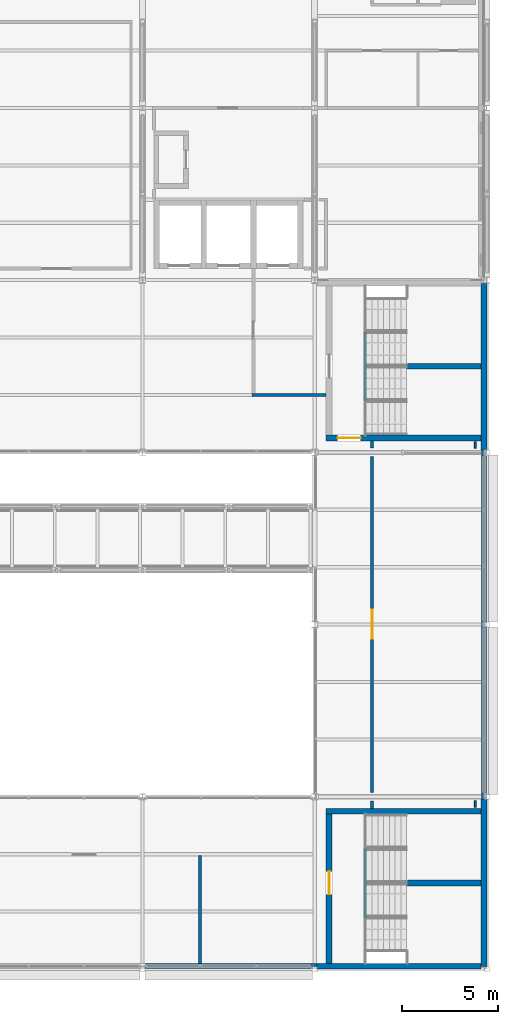
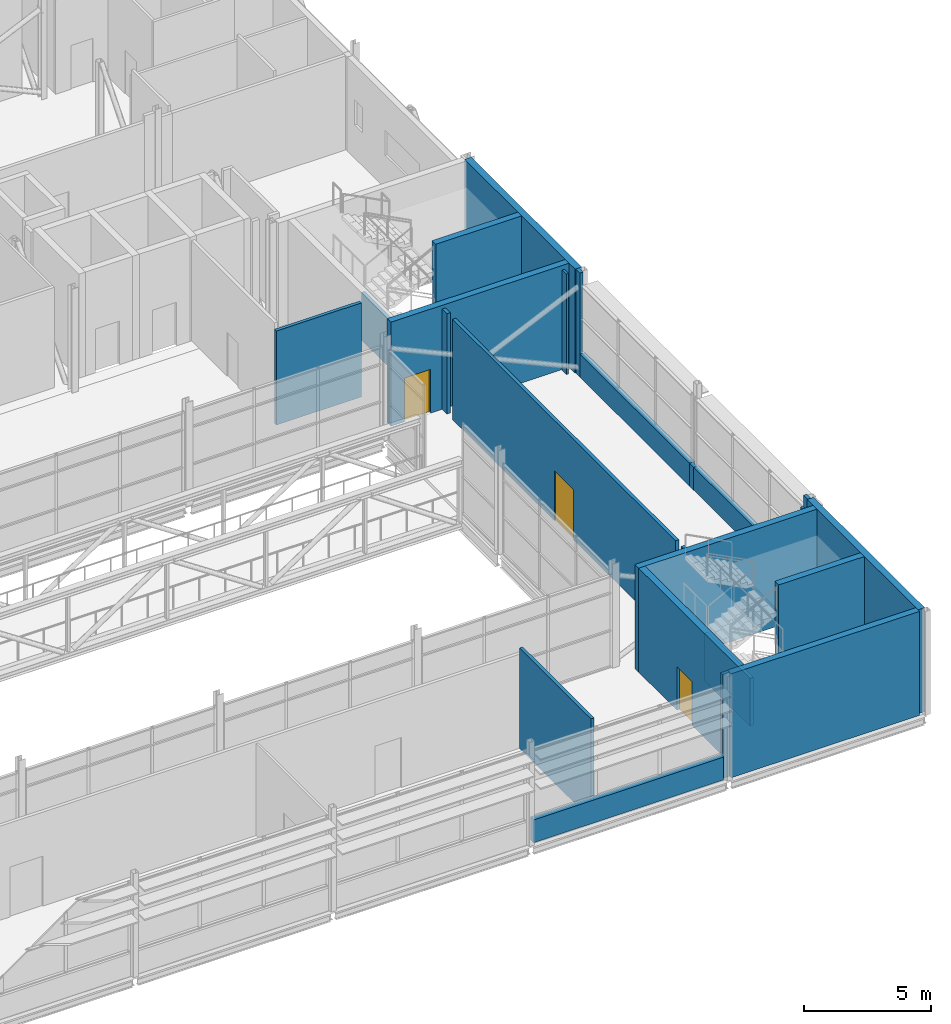
# One storey, part 77 of 94: 24 walls, 3 doors, 3 openings.
"""IFC4 building model written with IfcOpenShell, lengths in metres."""

from ifc_helpers import new_model, si_unit, direction, frame, frame_2d, origin, place, context, subcontext, project, spatial, rectangle, extrude, material, layer, layer_set, type_object, element, fill, save


model = new_model("IFC4")

# Units and contexts
model_context = context("Model", 3, precision=1e-05, world=origin(), true_north=direction((0.0, 1.0)))
body_context = subcontext(model_context, "Body", "Model", "MODEL_VIEW")
ifc_project = project(units=[si_unit("LENGTHUNIT", "METRE"), si_unit("AREAUNIT", "SQUARE_METRE"), si_unit("VOLUMEUNIT", "CUBIC_METRE"), si_unit("PLANEANGLEUNIT", "RADIAN"), si_unit("MASSUNIT", "GRAM", prefix="KILO")], contexts=[model_context])

# Site, building, storey
site_placement = place(None, origin())
site = spatial("IfcSite", under=ifc_project, at=site_placement, CompositionType="ELEMENT")
building_placement = place(site_placement, origin())
building = spatial("IfcBuilding", under=site, at=building_placement, Name="Shorebreak Coast Museum", CompositionType="ELEMENT")
storey_placement = place(building_placement, frame((0.0, 0.0, 31.0)))
storey = spatial("IfcBuildingStorey", under=building, at=storey_placement, Name="L05", CompositionType="ELEMENT", Elevation=31.0)

# Walls
ifc_material_1 = material(Name="Concrete N50 (50 MPa)", Category="concrete")
ifc_layer_1 = layer(ifc_material_1, 0.14990234375)
ifc_layer_set_1 = layer_set([ifc_layer_1], Name="Concrete N50 (50 MPa)")
wall_type_1 = type_object("IfcWallType", Name="Column closure panel 150", PredefinedType="SOLIDWALL", material=ifc_layer_set_1)
for number, where, z_axis, x_axis, name in (
    (1, (107.802978515625, 54.199951171875, 0.0), (0.0, 0.0, 1.0), (1.0, 0.0, 0.0), "Column closure panel L05 S 13G"),
    (2, (116.800048828125, 62.875, 0.0), (0.0, 0.0, 1.0), (0.0, 1.0, 0.0), "Column closure panel L05 E 14H"),
):
    element("IfcWall", number, at=place(storey_placement, frame(where, z_axis=z_axis, x_axis=x_axis)), inside=storey, type_object=wall_type_1, Name=name, PredefinedType="SOLIDWALL", context=body_context, shape_type="SweptSolid", body=[
        extrude(rectangle(XDim=0.322021484375, YDim=0.14990234375, at=frame_2d((0.1611328125, 0.0))), origin(), (0.0, 0.0, 1.0), 5.0),
    ])
wall_1_placement = place(storey_placement, frame((116.800048828125, 71.839111328125, 0.0), z_axis=(0.0, 0.0, 1.0), x_axis=(0.0, 1.0, 0.0)))
element("IfcWall", 3, at=wall_1_placement, inside=storey, type_object=wall_type_1, Name="Column closure panel L05 E 14J", PredefinedType="SOLIDWALL", context=body_context, shape_type="SweptSolid", body=[
    extrude(rectangle(XDim=0.32177734375, YDim=0.14990234375, at=frame_2d((0.160888671875, 0.0))), origin(), (0.0, 0.0, 1.0), 1.10009765625),
])
wall_2_placement = place(storey_placement, frame((116.800048828125, 80.802978515625, 0.0), z_axis=(0.0, 0.0, 1.0), x_axis=(0.0, 1.0, 0.0)))
element("IfcWall", 4, at=wall_2_placement, inside=storey, type_object=wall_type_1, Name="Column closure panel L05 E 14K", PredefinedType="SOLIDWALL", context=body_context, shape_type="SweptSolid", body=[
    extrude(rectangle(XDim=0.322021484375, YDim=0.14990234375, at=frame_2d((0.1611328125, 0.0))), origin(), (0.0, 0.0, 1.0), 5.0),
])
ifc_material_2 = material(Name="Plasterboard on steel stud", Category="steel")
ifc_layer_2 = layer(ifc_material_2, 0.14990234375)
ifc_layer_set_2 = layer_set([ifc_layer_2], Name="Plasterboard on steel stud")
wall_type_2 = type_object("IfcWallType", Name="Fire partition 150", PredefinedType="PARTITIONING", material=ifc_layer_set_2)
wall_3_placement = place(storey_placement, frame((104.72509765625, 84.0, 0.0), z_axis=(0.0, 0.0, 1.0), x_axis=(1.0, 0.0, 0.0)))
element("IfcWall", 5, at=wall_3_placement, inside=storey, type_object=wall_type_2, Name="Partition L05-004", PredefinedType="PARTITIONING", context=body_context, shape_type="SweptSolid", body=[
    extrude(rectangle(XDim=3.875, YDim=0.14990234375, at=frame_2d((1.9375, 0.0))), origin(), (0.0, 0.0, 1.0), 4.52099609375),
])
wall_4_placement = place(storey_placement, frame((102.0, 54.300048828125, 0.0), z_axis=(0.0, 0.0, 1.0), x_axis=(0.0, 1.0, 0.0)))
element("IfcWall", 6, at=wall_4_placement, inside=storey, type_object=wall_type_2, Name="Partition L05-072", PredefinedType="PARTITIONING", context=body_context, shape_type="SweptSolid", body=[
    extrude(rectangle(XDim=5.625, YDim=0.14990234375, at=frame_2d((2.8125, 0.0))), origin(), (0.0, 0.0, 1.0), 4.824951171875),
])
wall_5_placement = place(storey_placement, frame((111.0, 62.39990234375, 0.0), z_axis=(0.0, 0.0, 1.0), x_axis=(0.0, 1.0, 0.0)))
element("IfcWall", 7, at=wall_5_placement, inside=storey, type_object=wall_type_2, Name="Partition L05-077", PredefinedType="PARTITIONING", context=body_context, shape_type="SweptSolid", body=[
    extrude(rectangle(XDim=0.380126953125, YDim=0.14990234375, at=frame_2d((0.18994140625, 0.0))), origin(), (0.0, 0.0, 1.0), 4.824951171875),
])

# Wall, opening, door
wall_6_placement = place(storey_placement, frame((111.0, 63.219970703125, 0.0), z_axis=(0.0, 0.0, 1.0), x_axis=(0.0, 1.0, 0.0)))
wall_6 = element("IfcWall", 8, at=wall_6_placement, inside=storey, type_object=wall_type_2, Name="Partition L05-078", PredefinedType="PARTITIONING", context=body_context, shape_type="SweptSolid", body=[
    extrude(rectangle(XDim=17.56005859375, YDim=0.14990234375, at=frame_2d((8.780029296875, 0.0))), origin(), (0.0, 0.0, 1.0), 4.824951171875),
])
opening_1_placement = place(wall_6_placement, frame((8.050048828125, 0.0, 0.0)))
opening_1 = element("IfcOpeningElement", 9, at=opening_1_placement, cuts=wall_6, Name="Opening D5007", PredefinedType="OPENING", context=body_context, shape_type="SweptSolid", body=[
    extrude(rectangle(XDim=1.5, YDim=2.39990234375, at=frame_2d((0.75, 1.199951171875))), frame((0.0, 0.0849609375, 0.0), z_axis=(0.0, -1.0, 0.0), x_axis=(1.0, 0.0, 0.0)), (0.0, 0.0, 1.0), 0.169921875),
])
ifc_material_3 = material(Name="Steel", Category="steel")
door_type_1 = type_object("IfcDoorType", Name="Fire door 1500x2400 60", OperationType="DOUBLE_DOOR_SINGLE_SWING", PredefinedType="DOOR", material=ifc_material_3)
door_1_placement = place(opening_1_placement, origin())
door_1 = element("IfcDoor", 10, at=door_1_placement, inside=storey, type_object=door_type_1, Name="Door D5007 Media Gallery 5.02", OperationType="DOUBLE_DOOR_SINGLE_SWING", OverallHeight=2.39990234375, OverallWidth=1.5, PredefinedType="DOOR", context=body_context, shape_type="SweptSolid", body=[
    extrude(rectangle(XDim=1.5, YDim=2.39990234375, at=frame_2d((0.75, 1.199951171875))), frame((0.0, 0.02490234375, 0.0), z_axis=(0.0, -1.0, 0.0), x_axis=(1.0, 0.0, 0.0)), (0.0, 0.0, 1.0), 0.050048828125),
])
fill(opening_1, door_1)

# Walls
wall_7_placement = place(storey_placement, frame((111.0, 81.219970703125, 0.0), z_axis=(0.0, 0.0, 1.0), x_axis=(0.0, 1.0, 0.0)))
element("IfcWall", 11, at=wall_7_placement, inside=storey, type_object=wall_type_2, Name="Partition L05-079", PredefinedType="PARTITIONING", context=body_context, shape_type="SweptSolid", body=[
    extrude(rectangle(XDim=0.380126953125, YDim=0.14990234375, at=frame_2d((0.18994140625, 0.0))), origin(), (0.0, 0.0, 1.0), 4.824951171875),
])
ifc_material_4 = material(Name="Plasterboard on steel stud", Category="steel")
ifc_layer_3 = layer(ifc_material_4, 0.10009765625)
ifc_layer_set_3 = layer_set([ifc_layer_3], Name="Plasterboard on steel stud")
wall_type_3 = type_object("IfcWallType", Name="Partition 100", PredefinedType="PARTITIONING", material=ifc_layer_set_3)
for number, where, z_axis, x_axis, name in (
    (12, (116.39990234375, 62.449951171875, 0.0), (0.0, 0.0, 1.0), (0.0, 1.0, 0.0), "Partition L05-083"),
    (13, (116.39990234375, 81.219970703125, 0.0), (0.0, 0.0, 1.0), (0.0, 1.0, 0.0), "Partition L05-084"),
):
    element("IfcWall", number, at=place(storey_placement, frame(where, z_axis=z_axis, x_axis=x_axis)), inside=storey, type_object=wall_type_3, Name=name, PredefinedType="PARTITIONING", context=body_context, shape_type="SweptSolid", body=[
        extrude(rectangle(XDim=0.330078125, YDim=0.10009765625, at=frame_2d((0.1650390625, 0.0))), origin(), (0.0, 0.0, 1.0), 4.824951171875),
    ])
ifc_material_5 = material(Name="Concrete N50 (50 MPa)", Category="concrete")
ifc_layer_4 = layer(ifc_material_5, 0.25)
ifc_layer_set_4 = layer_set([ifc_layer_4], Name="Concrete N50 (50 MPa)")
wall_type_4 = type_object("IfcWallType", Name="Precast upper panel 250", PredefinedType="SOLIDWALL", material=ifc_layer_set_4)
for number, where, z_axis, x_axis, name in (
    (14, (99.160888671875, 54.14990234375, 0.0), (0.0, 0.0, 1.0), (1.0, 0.0, 0.0), "External wall L05 S 12G"),
    (15, (116.85009765625, 63.197021484375, 0.0), (0.0, 0.0, 1.0), (0.0, 1.0, 0.0), "External wall L05 E 14H"),
    (16, (116.85009765625, 72.160888671875, 0.0), (0.0, 0.0, 1.0), (0.0, 1.0, 0.0), "External wall L05 E 14J"),
):
    element("IfcWall", number, at=place(storey_placement, frame(where, z_axis=z_axis, x_axis=x_axis)), inside=storey, type_object=wall_type_4, Name=name, PredefinedType="SOLIDWALL", context=body_context, shape_type="SweptSolid", body=[
        extrude(rectangle(XDim=8.64208984375, YDim=0.25, at=frame_2d((4.321044921875, 0.0))), origin(), (0.0, 0.0, 1.0), 1.10009765625),
    ])
ifc_material_6 = material(Name="Concrete N50 (50 MPa)", Category="concrete")
ifc_layer_5 = layer(ifc_material_6, 0.300048828125)
ifc_layer_set_5 = layer_set([ifc_layer_5], Name="Concrete N50 (50 MPa)")
wall_type_5 = type_object("IfcWallType", Name="RC wall 300", PredefinedType="SHEAR", material=ifc_layer_set_5)
wall_8_placement = place(storey_placement, frame((108.125, 54.14990234375, 0.0), z_axis=(0.0, 0.0, 1.0), x_axis=(1.0, 0.0, 0.0)))
element("IfcWall", 17, at=wall_8_placement, inside=storey, type_object=wall_type_5, Name="Stair core wall ST02 L05 S", PredefinedType="SHEAR", context=body_context, shape_type="SweptSolid", body=[
    extrude(rectangle(XDim=8.574951171875, YDim=0.300048828125, at=frame_2d((4.28759765625, 0.0))), origin(), (0.0, 0.0, 1.0), 5.0),
])
wall_9_placement = place(storey_placement, frame((108.60009765625, 62.25, 0.0), z_axis=(0.0, 0.0, 1.0), x_axis=(1.0, 0.0, 0.0)))
element("IfcWall", 18, at=wall_9_placement, inside=storey, type_object=wall_type_5, Name="Stair core wall ST02 L05 N", PredefinedType="SHEAR", context=body_context, shape_type="SweptSolid", body=[
    extrude(rectangle(XDim=8.099853515625, YDim=0.300048828125, at=frame_2d((4.0498046875, 0.0))), origin(), (0.0, 0.0, 1.0), 5.0),
])

# Wall, opening, door
wall_10_placement = place(storey_placement, frame((108.75, 54.300048828125, 0.0), z_axis=(0.0, 0.0, 1.0), x_axis=(0.0, 1.0, 0.0)))
wall_10 = element("IfcWall", 19, at=wall_10_placement, inside=storey, type_object=wall_type_5, Name="Stair core wall ST02 L05 W", PredefinedType="SHEAR", context=body_context, shape_type="SweptSolid", body=[
    extrude(rectangle(XDim=7.800048828125, YDim=0.300048828125, at=frame_2d((3.89990234375, 0.0))), origin(), (0.0, 0.0, 1.0), 5.0),
])
opening_2_placement = place(wall_10_placement, frame((3.60009765625, 0.0, 0.0)))
opening_2 = element("IfcOpeningElement", 20, at=opening_2_placement, cuts=wall_10, Name="Opening D5802", PredefinedType="OPENING", context=body_context, shape_type="SweptSolid", body=[
    extrude(rectangle(XDim=1.199951171875, YDim=2.10009765625, at=frame_2d((0.60009765625, 1.050048828125))), frame((0.0, 0.159912109375, 0.0), z_axis=(0.0, -1.0, 0.0), x_axis=(1.0, 0.0, 0.0)), (0.0, 0.0, 1.0), 0.320068359375),
])
ifc_material_7 = material(Name="Steel Grade 300", Category="steel")
door_type_2 = type_object("IfcDoorType", Name="Fire door 1200x2100", OperationType="SINGLE_SWING_LEFT", PredefinedType="DOOR", material=ifc_material_7)
door_2_placement = place(opening_2_placement, origin())
door_2 = element("IfcDoor", 21, at=door_2_placement, inside=storey, type_object=door_type_2, Name="Stair door ST02 L05", OperationType="SINGLE_SWING_RIGHT", OverallHeight=2.10009765625, OverallWidth=1.199951171875, PredefinedType="DOOR", context=body_context, shape_type="SweptSolid", body=[
    extrude(rectangle(XDim=1.199951171875, YDim=2.10009765625, at=frame_2d((0.60009765625, 1.050048828125))), frame((0.0, 0.02490234375, 0.0), z_axis=(0.0, -1.0, 0.0), x_axis=(1.0, 0.0, 0.0)), (0.0, 0.0, 1.0), 0.050048828125),
])
fill(opening_2, door_2)

# Wall
wall_11_placement = place(storey_placement, frame((116.85009765625, 54.125, 0.0), z_axis=(0.0, 0.0, 1.0), x_axis=(0.0, 1.0, 0.0)))
element("IfcWall", 22, at=wall_11_placement, inside=storey, type_object=wall_type_5, Name="Stair core wall ST02 L05 E", PredefinedType="SHEAR", context=body_context, shape_type="SweptSolid", body=[
    extrude(rectangle(XDim=8.75, YDim=0.300048828125, at=frame_2d((4.375, 0.0))), origin(), (0.0, 0.0, 1.0), 5.0),
])

# Wall, opening, door
wall_12_placement = place(storey_placement, frame((108.60009765625, 81.75, 0.0), z_axis=(0.0, 0.0, 1.0), x_axis=(1.0, 0.0, 0.0)))
wall_12 = element("IfcWall", 23, at=wall_12_placement, inside=storey, type_object=wall_type_5, Name="Stair core wall ST04 L05 S", PredefinedType="SHEAR", context=body_context, shape_type="SweptSolid", body=[
    extrude(rectangle(XDim=8.099853515625, YDim=0.300048828125, at=frame_2d((4.0498046875, 0.0))), origin(), (0.0, 0.0, 1.0), 5.0),
])
opening_3_placement = place(wall_12_placement, frame((0.60009765625, 0.0, 0.0)))
opening_3 = element("IfcOpeningElement", 24, at=opening_3_placement, cuts=wall_12, Name="Opening D5704", PredefinedType="OPENING", context=body_context, shape_type="SweptSolid", body=[
    extrude(rectangle(XDim=1.199951171875, YDim=2.10009765625, at=frame_2d((0.60009765625, 1.050048828125))), frame((0.0, 0.159912109375, 0.0), z_axis=(0.0, -1.0, 0.0), x_axis=(1.0, 0.0, 0.0)), (0.0, 0.0, 1.0), 0.320068359375),
])
door_3_placement = place(opening_3_placement, origin())
door_3 = element("IfcDoor", 25, at=door_3_placement, inside=storey, type_object=door_type_2, Name="Stair door ST04 L05 south", OperationType="SINGLE_SWING_RIGHT", OverallHeight=2.10009765625, OverallWidth=1.199951171875, PredefinedType="DOOR", context=body_context, shape_type="SweptSolid", body=[
    extrude(rectangle(XDim=1.199951171875, YDim=2.10009765625, at=frame_2d((0.60009765625, 1.050048828125))), frame((0.0, 0.02490234375, 0.0), z_axis=(0.0, -1.0, 0.0), x_axis=(1.0, 0.0, 0.0)), (0.0, 0.0, 1.0), 0.050048828125),
])
fill(opening_3, door_3)

# Walls
wall_13_placement = place(storey_placement, frame((116.85009765625, 81.125, 0.0), z_axis=(0.0, 0.0, 1.0), x_axis=(0.0, 1.0, 0.0)))
element("IfcWall", 26, at=wall_13_placement, inside=storey, type_object=wall_type_5, Name="Stair core wall ST04 L05 E", PredefinedType="SHEAR", context=body_context, shape_type="SweptSolid", body=[
    extrude(rectangle(XDim=8.71142578125, YDim=0.300048828125, at=frame_2d((4.355712890625, 0.0))), origin(), (0.0, 0.0, 1.0), 5.0),
])
for number, where, z_axis, x_axis, name in (
    (27, (112.800048828125, 58.5, 0.0), (0.0, 0.0, 1.0), (1.0, 0.0, 0.0), "Stair spine wall ST02 L05"),
    (28, (112.800048828125, 85.5, 0.0), (0.0, 0.0, 1.0), (1.0, 0.0, 0.0), "Stair spine wall ST04 L05"),
):
    element("IfcWall", number, at=place(storey_placement, frame(where, z_axis=z_axis, x_axis=x_axis)), inside=storey, type_object=wall_type_5, Name=name, PredefinedType="SHEAR", context=body_context, shape_type="SweptSolid", body=[
        extrude(rectangle(XDim=3.89990234375, YDim=0.300048828125, at=frame_2d((1.949951171875, 0.0))), origin(), (0.0, 0.0, 1.0), 5.0),
    ])
ifc_material_8 = material(Name="Concrete N50 (50 MPa)", Category="concrete")
ifc_layer_6 = layer(ifc_material_8, 0.14990234375)
ifc_layer_set_6 = layer_set([ifc_layer_6], Name="Concrete N50 (50 MPa)")
wall_type_6 = type_object("IfcWallType", Name="Understair wall 150", PredefinedType="STANDARD", material=ifc_layer_set_6)
for number, where, z_axis, x_axis, name in (
    (29, (110.625, 56.699951171875, 0.0), (0.0, 0.0, 1.0), (0.0, 1.0, 0.0), "Understair wall ST02 L05 floor"),
    (30, (110.625, 83.699951171875, 0.0), (0.0, 0.0, 1.0), (0.0, 1.0, 0.0), "Understair wall ST04 L05 floor"),
):
    element("IfcWall", number, at=place(storey_placement, frame(where, z_axis=z_axis, x_axis=x_axis)), inside=storey, type_object=wall_type_6, Name=name, PredefinedType="STANDARD", context=body_context, shape_type="SweptSolid", body=[
        extrude(rectangle(XDim=3.60009765625, YDim=0.14990234375, at=frame_2d((1.800048828125, 0.0))), origin(), (0.0, 0.0, 1.0), 2.300048828125),
    ])

save(model, "model.ifc")
